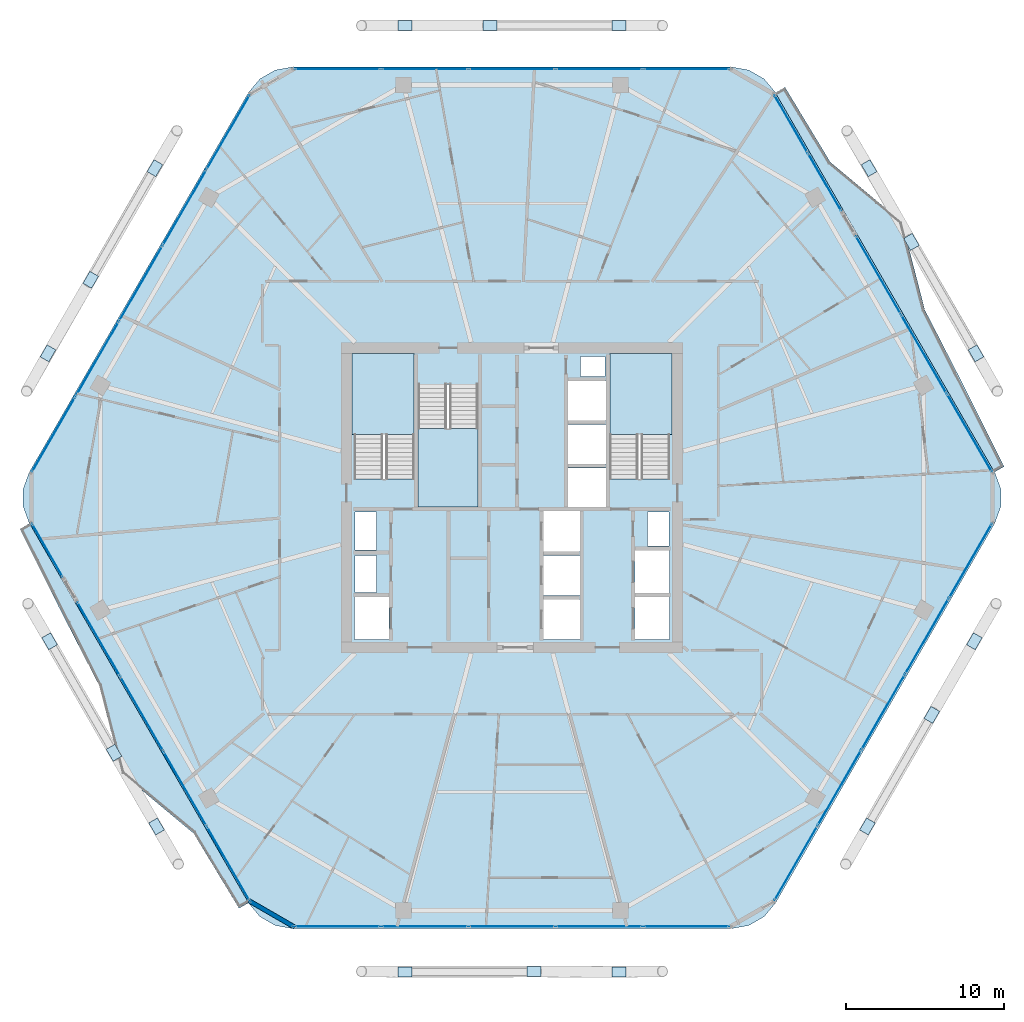
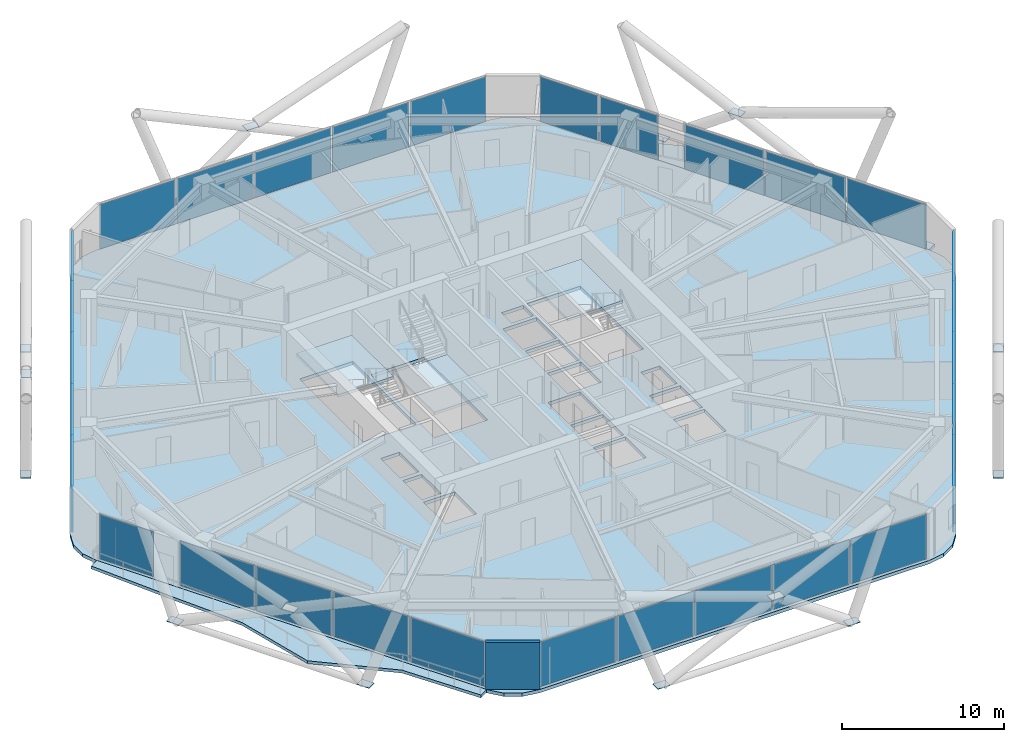
# One storey, part 19 of 28: 48 plates, 6 slabs, 1 wall, 11 elements without a shape of their own.
"""IFC4 building model written with IfcOpenShell, lengths in metres."""

from ifc_helpers import new_model, si_unit, direction, frame, frame_2d, origin, origin_2d, place, context, subcontext, project, spatial, polyline, rectangle, outline, extrude, material, layer, layer_set, type_object, element, aggregate, save


model = new_model("IFC4")

# Units and contexts
model_context = context("Model", 3, precision=1e-05, world=origin(), true_north=direction((0.0, 1.0)))
body_context = subcontext(model_context, "Body", "Model", "MODEL_VIEW")
ifc_project = project(units=[si_unit("LENGTHUNIT", "METRE"), si_unit("AREAUNIT", "SQUARE_METRE"), si_unit("VOLUMEUNIT", "CUBIC_METRE"), si_unit("PLANEANGLEUNIT", "RADIAN"), si_unit("MASSUNIT", "GRAM", prefix="KILO")], contexts=[model_context])

# Site, building, storey
site_placement = place(None, origin())
site = spatial("IfcSite", under=ifc_project, at=site_placement, CompositionType="ELEMENT")
building_placement = place(site_placement, origin())
building = spatial("IfcBuilding", under=site, at=building_placement, Name="Zuhravey Tower", CompositionType="ELEMENT")
storey_placement = place(building_placement, frame((0.0, 0.0, 169.39990234375)))
storey = spatial("IfcBuildingStorey", under=building, at=storey_placement, Name="L42", CompositionType="ELEMENT", Elevation=169.39990234375)

# Plates
ifc_material_1 = material(Name="Steel SM460", Category="steel")
ifc_layer_1 = layer(ifc_material_1, 0.035888671875)
ifc_layer_set_1 = layer_set([ifc_layer_1], Name="Steel SM460")
plate_type_1 = type_object("IfcPlateType", Name="Exoskeleton Zone 2 Node Plate ND2", PredefinedType="SHEET", material=ifc_layer_set_1)
for number, where, z_axis, x_axis, name in (
    (1, (65.42578125, 41.1591796875, -0.48193359375), (0.0, 0.0, 1.0), (-0.5, 0.866025403784, 0.0), "L42 Exoskeleton Node Gusset L42-01"),
    (2, (58.64501953125, 52.904052734375, -0.48193359375), (0.0, 0.0, 1.0), (-0.5, 0.866025403784, 0.0), "L42 Exoskeleton Node Gusset L42-02"),
    (3, (42.781005859375, 61.943115234375, -0.48193359375), (0.0, 0.0, 1.0), (-1.0, 0.0, 0.0), "L42 Exoskeleton Node Gusset L42-03"),
    (4, (29.218994140625, 61.943115234375, -0.48193359375), (0.0, 0.0, 1.0), (-1.0, 0.0, 0.0), "L42 Exoskeleton Node Gusset L42-04"),
    (5, (13.35498046875, 52.904052734375, -0.48193359375), (0.0, 0.0, 1.0), (-0.5, -0.866025403784, 0.0), "L42 Exoskeleton Node Gusset L42-05"),
    (6, (6.57421875, 41.1591796875, -0.48193359375), (0.0, 0.0, 1.0), (-0.5, -0.866025403784, 0.0), "L42 Exoskeleton Node Gusset L42-06"),
    (7, (6.677978515625, 22.90087890625, -0.48193359375), (0.0, 0.0, 1.0), (0.5, -0.866025403784, 0.0), "L42 Exoskeleton Node Gusset L42-07"),
    (8, (13.458984375, 11.156005859375, -0.48193359375), (0.0, 0.0, 1.0), (0.5, -0.866025403784, 0.0), "L42 Exoskeleton Node Gusset L42-08"),
    (9, (29.218994140625, 1.93701171875, -0.48193359375), (0.0, 0.0, 1.0), (1.0, 0.0, 0.0), "L42 Exoskeleton Node Gusset L42-09"),
    (10, (42.781005859375, 1.93701171875, -0.48193359375), (0.0, 0.0, 1.0), (1.0, 0.0, 0.0), "L42 Exoskeleton Node Gusset L42-10"),
    (11, (58.541015625, 11.156005859375, -0.48193359375), (0.0, 0.0, 1.0), (0.5, 0.866025403784, 0.0), "L42 Exoskeleton Node Gusset L42-11"),
    (12, (65.322021484375, 22.90087890625, -0.48193359375), (0.0, 0.0, 1.0), (0.5, 0.866025403784, 0.0), "L42 Exoskeleton Node Gusset L42-12"),
    (13, (61.328857421875, 48.225341796875, 3.318359375), (0.0, 0.0, 1.0), (-0.5, 0.866025403784, 0.0), "L42 Face 1 Diagrid X-Crossing Plate"),
    (14, (34.613037109375, 61.943115234375, 3.318359375), (0.0, 0.0, 1.0), (-1.0, 0.0, 0.0), "L42 Face 2 Diagrid X-Crossing Plate"),
    (15, (9.2841796875, 45.822998046875, 3.318359375), (0.0, 0.0, 1.0), (-0.5, -0.866025403784, 0.0), "L42 Face 3 Diagrid X-Crossing Plate"),
    (16, (10.761962890625, 15.8271484375, 3.318359375), (0.0, 0.0, 1.0), (0.5, -0.866025403784, 0.0), "L42 Face 4 Diagrid X-Crossing Plate"),
    (17, (37.386962890625, 1.951904296875, 3.318359375), (0.0, 0.0, 1.0), (1.0, 0.0, 0.0), "L42 Face 5 Diagrid X-Crossing Plate"),
    (18, (62.625, 18.2294921875, 3.318359375), (0.0, 0.0, 1.0), (0.5, 0.866025403784, 0.0), "L42 Face 6 Diagrid X-Crossing Plate"),
):
    element("IfcPlate", number, at=place(storey_placement, frame(where, z_axis=z_axis, x_axis=x_axis)), inside=storey, type_object=plate_type_1, Name=name, PredefinedType="SHEET", context=body_context, shape_type="SweptSolid", body=[
        extrude(rectangle(XDim=0.8798828125, YDim=0.639892578125, at=origin_2d()), origin(), (0.0, 0.0, 1.0), 0.035888671875),
    ])

# Slabs
ifc_material_2 = material(Name="Concrete C50/60", Category="concrete")
ifc_layer_2 = layer(ifc_material_2, 0.25)
ifc_layer_set_2 = layer_set([ifc_layer_2], Name="Concrete C50/60")
slab_type_1 = type_object("IfcSlabType", Name="Residential Acoustic Slab 250", PredefinedType="FLOOR", material=ifc_layer_set_2)
slab_1_placement = place(storey_placement, frame((0.0, 0.0, -0.25)))
element("IfcSlab", 19, at=slab_1_placement, inside=storey, type_object=slab_type_1, Name="L42 Floor Slab FS25", PredefinedType="FLOOR", context=body_context, shape_type="SweptSolid", body=[
    extrude(outline(polyline([(66.61181640625, 30.375), (66.997802734375, 31.435546875), (66.997802734375, 32.564453125), (66.61181640625, 33.625), (52.713134765625, 57.697998046875), (51.98779296875, 58.562744140625), (51.01025390625, 59.127197265625), (49.898681640625, 59.322998046875), (22.101318359375, 59.322998046875), (20.98974609375, 59.127197265625), (20.01220703125, 58.562744140625), (19.286865234375, 57.697998046875), (5.38818359375, 33.625), (5.002197265625, 32.564453125), (5.002197265625, 31.435546875), (5.38818359375, 30.375), (19.286865234375, 6.302001953125), (20.01220703125, 5.437255859375), (20.98974609375, 4.872802734375), (22.101318359375, 4.677001953125), (49.898681640625, 4.677001953125), (51.01025390625, 4.872802734375), (51.98779296875, 5.437255859375), (52.713134765625, 6.302001953125), (66.61181640625, 30.375)]), holes=[polyline([(29.800048828125, 33.20068359375), (29.800048828125, 41.0), (26.0, 41.0), (26.0, 33.20068359375), (29.800048828125, 33.20068359375)]), polyline([(46.0, 33.20068359375), (46.0, 41.0), (42.199951171875, 41.0), (42.199951171875, 33.20068359375), (46.0, 33.20068359375)]), polyline([(30.050048828125, 39.199462890625), (30.050048828125, 31.39990234375), (33.85009765625, 31.39990234375), (33.85009765625, 39.199462890625), (30.050048828125, 39.199462890625)]), polyline([(38.0, 23.0), (40.300048828125, 23.0), (40.300048828125, 25.550048828125), (38.0, 25.550048828125), (38.0, 23.0)]), polyline([(38.0, 25.800048828125), (40.300048828125, 25.800048828125), (40.300048828125, 28.35009765625), (38.0, 28.35009765625), (38.0, 25.800048828125)]), polyline([(38.0, 28.60009765625), (40.300048828125, 28.60009765625), (40.300048828125, 31.14990234375), (38.0, 31.14990234375), (38.0, 28.60009765625)]), polyline([(39.550048828125, 31.39990234375), (41.949951171875, 31.39990234375), (41.949951171875, 33.89990234375), (39.550048828125, 33.89990234375), (39.550048828125, 31.39990234375)]), polyline([(39.550048828125, 34.14990234375), (41.949951171875, 34.14990234375), (41.949951171875, 36.64990234375), (39.550048828125, 36.64990234375), (39.550048828125, 34.14990234375)]), polyline([(39.550048828125, 36.89990234375), (41.949951171875, 36.89990234375), (41.949951171875, 39.39990234375), (39.550048828125, 39.39990234375), (39.550048828125, 36.89990234375)]), polyline([(26.0, 23.0), (28.199951171875, 23.0), (28.199951171875, 25.699951171875), (26.0, 25.699951171875), (26.0, 23.0)]), polyline([(43.800048828125, 23.0), (46.0, 23.0), (46.0, 25.699951171875), (43.800048828125, 25.699951171875), (43.800048828125, 23.0)]), polyline([(43.800048828125, 25.949951171875), (46.0, 25.949951171875), (46.0, 28.64990234375), (43.800048828125, 28.64990234375), (43.800048828125, 25.949951171875)]), polyline([(26.050048828125, 26.0), (27.39990234375, 26.0), (27.39990234375, 28.35009765625), (26.050048828125, 28.35009765625), (26.050048828125, 26.0)]), polyline([(26.050048828125, 28.699951171875), (27.39990234375, 28.699951171875), (27.39990234375, 31.10009765625), (26.050048828125, 31.10009765625), (26.050048828125, 28.699951171875)]), polyline([(44.60009765625, 28.949951171875), (45.949951171875, 28.949951171875), (45.949951171875, 31.10009765625), (44.60009765625, 31.10009765625), (44.60009765625, 28.949951171875)]), polyline([(40.35009765625, 39.699951171875), (41.89990234375, 39.699951171875), (41.89990234375, 40.949951171875), (40.35009765625, 40.949951171875), (40.35009765625, 39.699951171875)])]), origin(), (0.0, 0.0, 1.0), 0.25),
])
ifc_material_3 = material(Name="Concrete C40/50", Category="concrete")
ifc_layer_3 = layer(ifc_material_3, 0.219970703125)
ifc_layer_set_3 = layer_set([ifc_layer_3], Name="Concrete C40/50")
slab_type_2 = type_object("IfcSlabType", Name="Sinusoidal Residential Wave Balcony 220", PredefinedType="FLOOR", material=ifc_layer_set_3)
slab_2_placement = place(storey_placement, frame((0.0, 0.0, -0.219970703125)))
element("IfcSlab", 20, at=slab_2_placement, inside=storey, type_object=slab_type_2, Name="L42 Face 1 Wave Balcony WB22", PredefinedType="FLOOR", context=body_context, shape_type="SweptSolid", body=[
    extrude(outline(polyline([(66.594482421875, 33.625), (52.70458984375, 57.68310546875), (53.310791015625, 58.033203125), (56.188720703125, 53.279296875), (60.737060546875, 49.48974609375), (62.178955078125, 43.906494140625), (64.7197265625, 38.9580078125), (67.20068359375, 33.97509765625), (66.594482421875, 33.625)])), origin(), (0.0, 0.0, 1.0), 0.219970703125),
])
slab_3_placement = place(storey_placement, frame((0.0, 0.0, -0.219970703125)))
element("IfcSlab", 21, at=slab_3_placement, inside=storey, type_object=slab_type_2, Name="L42 Face 4 Wave Balcony WB22", PredefinedType="FLOOR", context=body_context, shape_type="SweptSolid", body=[
    extrude(outline(polyline([(5.405517578125, 30.375), (19.29541015625, 6.31689453125), (18.689208984375, 5.966796875), (15.811279296875, 10.720703125), (11.262939453125, 14.51025390625), (9.821044921875, 20.093505859375), (7.2802734375, 25.0419921875), (4.79931640625, 30.02490234375), (5.405517578125, 30.375)])), origin(), (0.0, 0.0, 1.0), 0.219970703125),
])

# Stair, slab
stair_type = type_object("IfcStairType", Name="Housing Storey Stair Assembly 3800", PredefinedType="HALF_TURN_STAIR", material=ifc_material_3)
stair_1_placement = place(storey_placement, origin())
stair_1 = element("IfcStair", 22, at=stair_1_placement, inside=storey, type_object=stair_type, Name="L42 Core Exit Stair ST1", PredefinedType="HALF_TURN_STAIR")
ifc_layer_4 = layer(ifc_material_3, 0.199951171875)
ifc_layer_set_4 = layer_set([ifc_layer_4], Name="Concrete C40/50")
slab_type_3 = type_object("IfcSlabType", Name="Stair Landing Slab 200", PredefinedType="LANDING", material=ifc_layer_set_4)
slab_4_placement = place(storey_placement, frame((0.0, 0.0, 1.7001953125)))
slab_4 = element("IfcSlab", 23, at=slab_4_placement, type_object=slab_type_3, Name="ST1 landing 1", PredefinedType="LANDING", context=body_context, shape_type="SweptSolid", body=[
    extrude(outline(polyline([(29.800048828125, 36.0), (29.800048828125, 41.14794921875), (25.85205078125, 41.14794921875), (25.85205078125, 36.0), (29.800048828125, 36.0)])), origin(), (0.0, 0.0, 1.0), 0.199951171875),
])
aggregate(stair_1, [slab_4])

stair_2_placement = place(storey_placement, origin())
stair_2 = element("IfcStair", 24, at=stair_2_placement, inside=storey, type_object=stair_type, Name="L42 Core Exit Stair ST2", PredefinedType="HALF_TURN_STAIR")
slab_5_placement = place(storey_placement, frame((0.0, 0.0, 1.7001953125)))
slab_5 = element("IfcSlab", 25, at=slab_5_placement, type_object=slab_type_3, Name="ST2 landing 1", PredefinedType="LANDING", context=body_context, shape_type="SweptSolid", body=[
    extrude(outline(polyline([(46.14794921875, 36.0), (46.14794921875, 41.14794921875), (42.199951171875, 41.14794921875), (42.199951171875, 36.0), (46.14794921875, 36.0)])), origin(), (0.0, 0.0, 1.0), 0.199951171875),
])
aggregate(stair_2, [slab_5])

stair_3_placement = place(storey_placement, origin())
stair_3 = element("IfcStair", 26, at=stair_3_placement, inside=storey, type_object=stair_type, Name="L42 Core Exit Stair ST3", PredefinedType="HALF_TURN_STAIR")
slab_6_placement = place(storey_placement, frame((0.0, 0.0, 1.7001953125)))
slab_6 = element("IfcSlab", 27, at=slab_6_placement, type_object=slab_type_3, Name="ST3 landing 1", PredefinedType="LANDING", context=body_context, shape_type="SweptSolid", body=[
    extrude(outline(polyline([(30.050048828125, 36.39990234375), (30.050048828125, 31.39990234375), (33.85009765625, 31.39990234375), (33.85009765625, 36.39990234375), (30.050048828125, 36.39990234375)])), origin(), (0.0, 0.0, 1.0), 0.199951171875),
])
aggregate(stair_3, [slab_6])

# Curtain wall, plates
ifc_material_4 = material(Name="Thermally broken anodised aluminium", Category="aluminium")
curtain_wall_type = type_object("IfcCurtainWallType", Name="Zone 1-2 Residential Curtain Wall CW3", PredefinedType="NOTDEFINED", material=ifc_material_4)
curtain_wall_1_placement = place(storey_placement, origin())
curtain_wall_1 = element("IfcCurtainWall", 28, at=curtain_wall_1_placement, inside=storey, type_object=curtain_wall_type, Name="L42 CW3 CW-L42-F6-1", PredefinedType="NOTDEFINED")
ifc_material_5 = material(Name="Triple low-E insulated vision glass", Category="glass")
ifc_layer_5 = layer(ifc_material_5, 0.0419921875)
ifc_layer_set_5 = layer_set([ifc_layer_5], Name="Triple low-E insulated vision glass")
plate_type_2 = type_object("IfcPlateType", Name="Triple Low-E Vision Panel", PredefinedType="CURTAIN_PANEL", material=ifc_layer_set_5)
plate_1_placement = place(storey_placement, frame((65.074462890625, 27.9921875, 0.090087890625), z_axis=(0.0, 0.0, 1.0), x_axis=(-0.500000459979, -0.866025138215, 0.0)))
plate_1 = element("IfcPlate", 29, at=plate_1_placement, type_object=plate_type_2, Name="CW3 panel 1.1", PredefinedType="CURTAIN_PANEL", context=body_context, shape_type="SweptSolid", body=[
    extrude(rectangle(XDim=5.409423828125, YDim=0.0419921875, at=origin_2d()), origin(), (0.0, 0.0, 1.0), 3.3701171875),
])
plate_2_placement = place(storey_placement, frame((62.3134765625, 23.2099609375, 0.090087890625), z_axis=(0.0, 0.0, 1.0), x_axis=(-0.500000459979, -0.866025138215, 0.0)))
plate_2 = element("IfcPlate", 30, at=plate_2_placement, type_object=plate_type_2, Name="CW3 panel 2.1", PredefinedType="CURTAIN_PANEL", context=body_context, shape_type="SweptSolid", body=[
    extrude(rectangle(XDim=5.454345703125, YDim=0.0419921875, at=origin_2d()), origin(), (0.0, 0.0, 1.0), 3.3701171875),
])
plate_3_placement = place(storey_placement, frame((59.541259765625, 18.408447265625, 0.090087890625), z_axis=(0.0, 0.0, 1.0), x_axis=(-0.500000459979, -0.866025138215, 0.0)))
plate_3 = element("IfcPlate", 31, at=plate_3_placement, type_object=plate_type_2, Name="CW3 panel 3.1", PredefinedType="CURTAIN_PANEL", context=body_context, shape_type="SweptSolid", body=[
    extrude(rectangle(XDim=5.454345703125, YDim=0.0419921875, at=origin_2d()), origin(), (0.0, 0.0, 1.0), 3.3701171875),
])
plate_4_placement = place(storey_placement, frame((56.76904296875, 13.60693359375, 0.090087890625), z_axis=(0.0, 0.0, 1.0), x_axis=(-0.500000459979, -0.866025138215, 0.0)))
plate_4 = element("IfcPlate", 32, at=plate_4_placement, type_object=plate_type_2, Name="CW3 panel 4.1", PredefinedType="CURTAIN_PANEL", context=body_context, shape_type="SweptSolid", body=[
    extrude(rectangle(XDim=5.454345703125, YDim=0.0419921875, at=origin_2d()), origin(), (0.0, 0.0, 1.0), 3.3701171875),
])
plate_5_placement = place(storey_placement, frame((54.008056640625, 8.82470703125, 0.090087890625), z_axis=(0.0, 0.0, 1.0), x_axis=(-0.500000459979, -0.866025138215, 0.0)))
plate_5 = element("IfcPlate", 33, at=plate_5_placement, type_object=plate_type_2, Name="CW3 panel 5.1", PredefinedType="CURTAIN_PANEL", context=body_context, shape_type="SweptSolid", body=[
    extrude(rectangle(XDim=5.409423828125, YDim=0.0419921875, at=origin_2d()), origin(), (0.0, 0.0, 1.0), 3.3701171875),
])
aggregate(curtain_wall_1, [plate_1, plate_2, plate_3, plate_4, plate_5])

curtain_wall_2_placement = place(storey_placement, origin())
curtain_wall_2 = element("IfcCurtainWall", 34, at=curtain_wall_2_placement, inside=storey, type_object=curtain_wall_type, Name="L42 CW3 CW-L42-F5-1", PredefinedType="NOTDEFINED")
plate_6_placement = place(storey_placement, frame((47.06640625, 4.81689453125, 0.090087890625), z_axis=(0.0, 0.0, 1.0), x_axis=(-1.0, 0.0, 0.0)))
plate_6 = element("IfcPlate", 35, at=plate_6_placement, type_object=plate_type_2, Name="CW3 panel 1.1", PredefinedType="CURTAIN_PANEL", context=body_context, shape_type="SweptSolid", body=[
    extrude(rectangle(XDim=5.409423828125, YDim=0.0419921875, at=origin_2d()), origin(), (0.0, 0.0, 1.0), 3.3701171875),
])
plate_7_placement = place(storey_placement, frame((41.54443359375, 4.81689453125, 0.090087890625), z_axis=(0.0, 0.0, 1.0), x_axis=(-1.0, 0.0, 0.0)))
plate_7 = element("IfcPlate", 36, at=plate_7_placement, type_object=plate_type_2, Name="CW3 panel 2.1", PredefinedType="CURTAIN_PANEL", context=body_context, shape_type="SweptSolid", body=[
    extrude(rectangle(XDim=5.454345703125, YDim=0.0419921875, at=origin_2d()), origin(), (0.0, 0.0, 1.0), 3.3701171875),
])
plate_8_placement = place(storey_placement, frame((36.0, 4.81689453125, 0.090087890625), z_axis=(0.0, 0.0, 1.0), x_axis=(-1.0, 0.0, 0.0)))
plate_8 = element("IfcPlate", 37, at=plate_8_placement, type_object=plate_type_2, Name="CW3 panel 3.1", PredefinedType="CURTAIN_PANEL", context=body_context, shape_type="SweptSolid", body=[
    extrude(rectangle(XDim=5.454345703125, YDim=0.0419921875, at=origin_2d()), origin(), (0.0, 0.0, 1.0), 3.3701171875),
])
plate_9_placement = place(storey_placement, frame((30.45556640625, 4.81689453125, 0.090087890625), z_axis=(0.0, 0.0, 1.0), x_axis=(-1.0, 0.0, 0.0)))
plate_9 = element("IfcPlate", 38, at=plate_9_placement, type_object=plate_type_2, Name="CW3 panel 4.1", PredefinedType="CURTAIN_PANEL", context=body_context, shape_type="SweptSolid", body=[
    extrude(rectangle(XDim=5.454345703125, YDim=0.0419921875, at=origin_2d()), origin(), (0.0, 0.0, 1.0), 3.3701171875),
])
plate_10_placement = place(storey_placement, frame((24.93359375, 4.81689453125, 0.090087890625), z_axis=(0.0, 0.0, 1.0), x_axis=(-1.0, 0.0, 0.0)))
plate_10 = element("IfcPlate", 39, at=plate_10_placement, type_object=plate_type_2, Name="CW3 panel 5.1", PredefinedType="CURTAIN_PANEL", context=body_context, shape_type="SweptSolid", body=[
    extrude(rectangle(XDim=5.409423828125, YDim=0.0419921875, at=origin_2d()), origin(), (0.0, 0.0, 1.0), 3.3701171875),
])
aggregate(curtain_wall_2, [plate_6, plate_7, plate_8, plate_9, plate_10])

curtain_wall_3_placement = place(storey_placement, origin())
curtain_wall_3 = element("IfcCurtainWall", 40, at=curtain_wall_3_placement, inside=storey, type_object=curtain_wall_type, Name="L42 CW3 CW-L42-F4-1", PredefinedType="NOTDEFINED")
plate_11_placement = place(storey_placement, frame((18.00390625, 8.803955078125, 0.090087890625), z_axis=(0.0, 0.0, 1.0), x_axis=(-0.500000293699, 0.866025234217, 0.0)))
plate_11 = element("IfcPlate", 41, at=plate_11_placement, type_object=plate_type_2, Name="CW3 panel 1.1", PredefinedType="CURTAIN_PANEL", context=body_context, shape_type="SweptSolid", body=[
    extrude(rectangle(XDim=5.361328125, YDim=0.0419921875, at=origin_2d()), origin(), (0.0, 0.0, 1.0), 3.3701171875),
])
plate_12_placement = place(storey_placement, frame((15.26708984375, 13.54443359375, 0.090087890625), z_axis=(0.0, 0.0, 1.0), x_axis=(-0.500000293699, 0.866025234217, 0.0)))
plate_12 = element("IfcPlate", 42, at=plate_12_placement, type_object=plate_type_2, Name="CW3 panel 2.1", PredefinedType="CURTAIN_PANEL", context=body_context, shape_type="SweptSolid", body=[
    extrude(rectangle(XDim=5.40625, YDim=0.0419921875, at=origin_2d()), origin(), (0.0, 0.0, 1.0), 3.3701171875),
])
plate_13_placement = place(storey_placement, frame((12.518798828125, 18.304443359375, 0.090087890625), z_axis=(0.0, 0.0, 1.0), x_axis=(-0.500000293699, 0.866025234217, 0.0)))
plate_13 = element("IfcPlate", 43, at=plate_13_placement, type_object=plate_type_2, Name="CW3 panel 3.1", PredefinedType="CURTAIN_PANEL", context=body_context, shape_type="SweptSolid", body=[
    extrude(rectangle(XDim=5.40625, YDim=0.0419921875, at=origin_2d()), origin(), (0.0, 0.0, 1.0), 3.3701171875),
])
plate_14_placement = place(storey_placement, frame((9.781982421875, 23.044921875, 0.090087890625), z_axis=(0.0, 0.0, 1.0), x_axis=(-0.500000293699, 0.866025234217, 0.0)))
plate_14 = element("IfcPlate", 44, at=plate_14_placement, type_object=plate_type_2, Name="CW3 panel 4.1", PredefinedType="CURTAIN_PANEL", context=body_context, shape_type="SweptSolid", body=[
    extrude(rectangle(XDim=5.361328125, YDim=0.0419921875, at=origin_2d()), origin(), (0.0, 0.0, 1.0), 3.3701171875),
])
aggregate(curtain_wall_3, [plate_11, plate_12, plate_13, plate_14])

# Curtain wall, plate
curtain_wall_4_placement = place(storey_placement, origin())
curtain_wall_4 = element("IfcCurtainWall", 45, at=curtain_wall_4_placement, inside=storey, type_object=curtain_wall_type, Name="L42 CW3 CW-L42-F4-2", PredefinedType="NOTDEFINED")
plate_15_placement = place(storey_placement, frame((6.537353515625, 28.66455078125, 0.090087890625), z_axis=(0.0, 0.0, 1.0), x_axis=(-0.500007653549, 0.866020984961, 0.0)))
plate_15 = element("IfcPlate", 46, at=plate_15_placement, type_object=plate_type_2, Name="CW3 panel 1.1", PredefinedType="CURTAIN_PANEL", context=body_context, shape_type="SweptSolid", body=[
    extrude(rectangle(XDim=3.856689453125, YDim=0.0419921875, at=origin_2d()), origin(), (0.0, 0.0, 1.0), 3.3701171875),
])
aggregate(curtain_wall_4, [plate_15])

# Curtain wall, plates
curtain_wall_5_placement = place(storey_placement, origin())
curtain_wall_5 = element("IfcCurtainWall", 47, at=curtain_wall_5_placement, inside=storey, type_object=curtain_wall_type, Name="L42 CW3 CW-L42-F3-1", PredefinedType="NOTDEFINED")
plate_16_placement = place(storey_placement, frame((6.925537109375, 36.0078125, 0.090087890625), z_axis=(0.0, 0.0, 1.0), x_axis=(0.500000459979, 0.866025138215, 0.0)))
plate_16 = element("IfcPlate", 48, at=plate_16_placement, type_object=plate_type_2, Name="CW3 panel 1.1", PredefinedType="CURTAIN_PANEL", context=body_context, shape_type="SweptSolid", body=[
    extrude(rectangle(XDim=5.409423828125, YDim=0.0419921875, at=origin_2d()), origin(), (0.0, 0.0, 1.0), 3.3701171875),
])
plate_17_placement = place(storey_placement, frame((9.6865234375, 40.7900390625, 0.090087890625), z_axis=(0.0, 0.0, 1.0), x_axis=(0.500000459979, 0.866025138215, 0.0)))
plate_17 = element("IfcPlate", 49, at=plate_17_placement, type_object=plate_type_2, Name="CW3 panel 2.1", PredefinedType="CURTAIN_PANEL", context=body_context, shape_type="SweptSolid", body=[
    extrude(rectangle(XDim=5.454345703125, YDim=0.0419921875, at=origin_2d()), origin(), (0.0, 0.0, 1.0), 3.3701171875),
])
plate_18_placement = place(storey_placement, frame((12.458740234375, 45.591552734375, 0.090087890625), z_axis=(0.0, 0.0, 1.0), x_axis=(0.500000459979, 0.866025138215, 0.0)))
plate_18 = element("IfcPlate", 50, at=plate_18_placement, type_object=plate_type_2, Name="CW3 panel 3.1", PredefinedType="CURTAIN_PANEL", context=body_context, shape_type="SweptSolid", body=[
    extrude(rectangle(XDim=5.454345703125, YDim=0.0419921875, at=origin_2d()), origin(), (0.0, 0.0, 1.0), 3.3701171875),
])
plate_19_placement = place(storey_placement, frame((15.23095703125, 50.39306640625, 0.090087890625), z_axis=(0.0, 0.0, 1.0), x_axis=(0.500000459979, 0.866025138215, 0.0)))
plate_19 = element("IfcPlate", 51, at=plate_19_placement, type_object=plate_type_2, Name="CW3 panel 4.1", PredefinedType="CURTAIN_PANEL", context=body_context, shape_type="SweptSolid", body=[
    extrude(rectangle(XDim=5.454345703125, YDim=0.0419921875, at=origin_2d()), origin(), (0.0, 0.0, 1.0), 3.3701171875),
])
plate_20_placement = place(storey_placement, frame((17.991943359375, 55.17529296875, 0.090087890625), z_axis=(0.0, 0.0, 1.0), x_axis=(0.500000459979, 0.866025138215, 0.0)))
plate_20 = element("IfcPlate", 52, at=plate_20_placement, type_object=plate_type_2, Name="CW3 panel 5.1", PredefinedType="CURTAIN_PANEL", context=body_context, shape_type="SweptSolid", body=[
    extrude(rectangle(XDim=5.409423828125, YDim=0.0419921875, at=origin_2d()), origin(), (0.0, 0.0, 1.0), 3.3701171875),
])
aggregate(curtain_wall_5, [plate_16, plate_17, plate_18, plate_19, plate_20])

curtain_wall_6_placement = place(storey_placement, origin())
curtain_wall_6 = element("IfcCurtainWall", 53, at=curtain_wall_6_placement, inside=storey, type_object=curtain_wall_type, Name="L42 CW3 CW-L42-F2-1", PredefinedType="NOTDEFINED")
plate_21_placement = place(storey_placement, frame((24.93359375, 59.18310546875, 0.090087890625), z_axis=(0.0, 0.0, 1.0), x_axis=(1.0, 0.0, 0.0)))
plate_21 = element("IfcPlate", 54, at=plate_21_placement, type_object=plate_type_2, Name="CW3 panel 1.1", PredefinedType="CURTAIN_PANEL", context=body_context, shape_type="SweptSolid", body=[
    extrude(rectangle(XDim=5.409423828125, YDim=0.0419921875, at=origin_2d()), origin(), (0.0, 0.0, 1.0), 3.3701171875),
])
plate_22_placement = place(storey_placement, frame((30.45556640625, 59.18310546875, 0.090087890625), z_axis=(0.0, 0.0, 1.0), x_axis=(1.0, 0.0, 0.0)))
plate_22 = element("IfcPlate", 55, at=plate_22_placement, type_object=plate_type_2, Name="CW3 panel 2.1", PredefinedType="CURTAIN_PANEL", context=body_context, shape_type="SweptSolid", body=[
    extrude(rectangle(XDim=5.454345703125, YDim=0.0419921875, at=origin_2d()), origin(), (0.0, 0.0, 1.0), 3.3701171875),
])
plate_23_placement = place(storey_placement, frame((36.0, 59.18310546875, 0.090087890625), z_axis=(0.0, 0.0, 1.0), x_axis=(1.0, 0.0, 0.0)))
plate_23 = element("IfcPlate", 56, at=plate_23_placement, type_object=plate_type_2, Name="CW3 panel 3.1", PredefinedType="CURTAIN_PANEL", context=body_context, shape_type="SweptSolid", body=[
    extrude(rectangle(XDim=5.454345703125, YDim=0.0419921875, at=origin_2d()), origin(), (0.0, 0.0, 1.0), 3.3701171875),
])
plate_24_placement = place(storey_placement, frame((41.54443359375, 59.18310546875, 0.090087890625), z_axis=(0.0, 0.0, 1.0), x_axis=(1.0, 0.0, 0.0)))
plate_24 = element("IfcPlate", 57, at=plate_24_placement, type_object=plate_type_2, Name="CW3 panel 4.1", PredefinedType="CURTAIN_PANEL", context=body_context, shape_type="SweptSolid", body=[
    extrude(rectangle(XDim=5.454345703125, YDim=0.0419921875, at=origin_2d()), origin(), (0.0, 0.0, 1.0), 3.3701171875),
])
plate_25_placement = place(storey_placement, frame((47.06640625, 59.18310546875, 0.090087890625), z_axis=(0.0, 0.0, 1.0), x_axis=(1.0, 0.0, 0.0)))
plate_25 = element("IfcPlate", 58, at=plate_25_placement, type_object=plate_type_2, Name="CW3 panel 5.1", PredefinedType="CURTAIN_PANEL", context=body_context, shape_type="SweptSolid", body=[
    extrude(rectangle(XDim=5.409423828125, YDim=0.0419921875, at=origin_2d()), origin(), (0.0, 0.0, 1.0), 3.3701171875),
])
aggregate(curtain_wall_6, [plate_21, plate_22, plate_23, plate_24, plate_25])

curtain_wall_7_placement = place(storey_placement, origin())
curtain_wall_7 = element("IfcCurtainWall", 59, at=curtain_wall_7_placement, inside=storey, type_object=curtain_wall_type, Name="L42 CW3 CW-L42-F1-1", PredefinedType="NOTDEFINED")
plate_26_placement = place(storey_placement, frame((53.69921875, 55.710205078125, 0.090087890625), z_axis=(0.0, 0.0, 1.0), x_axis=(0.500006357897, -0.86602173302, 0.0)))
plate_26 = element("IfcPlate", 60, at=plate_26_placement, type_object=plate_type_2, Name="CW3 panel 1.1", PredefinedType="CURTAIN_PANEL", context=body_context, shape_type="SweptSolid", body=[
    extrude(rectangle(XDim=4.17431640625, YDim=0.0419921875, at=origin_2d()), origin(), (0.0, 0.0, 1.0), 3.3701171875),
])
plate_27_placement = place(storey_placement, frame((55.83154296875, 52.017333984375, 0.090087890625), z_axis=(0.0, 0.0, 1.0), x_axis=(0.500006357897, -0.86602173302, 0.0)))
plate_27 = element("IfcPlate", 61, at=plate_27_placement, type_object=plate_type_2, Name="CW3 panel 2.1", PredefinedType="CURTAIN_PANEL", context=body_context, shape_type="SweptSolid", body=[
    extrude(rectangle(XDim=4.17431640625, YDim=0.0419921875, at=origin_2d()), origin(), (0.0, 0.0, 1.0), 3.3701171875),
])
aggregate(curtain_wall_7, [plate_26, plate_27])

curtain_wall_8_placement = place(storey_placement, origin())
curtain_wall_8 = element("IfcCurtainWall", 62, at=curtain_wall_8_placement, inside=storey, type_object=curtain_wall_type, Name="L42 CW3 CW-L42-F1-2", PredefinedType="NOTDEFINED")
plate_28_placement = place(storey_placement, frame((59.2314453125, 46.1279296875, 0.090087890625), z_axis=(0.0, 0.0, 1.0), x_axis=(0.499998997739, -0.866025982439, 0.0)))
plate_28 = element("IfcPlate", 63, at=plate_28_placement, type_object=plate_type_2, Name="CW3 panel 1.1", PredefinedType="CURTAIN_PANEL", context=body_context, shape_type="SweptSolid", body=[
    extrude(rectangle(XDim=5.666259765625, YDim=0.0419921875, at=origin_2d()), origin(), (0.0, 0.0, 1.0), 3.3701171875),
])
plate_29_placement = place(storey_placement, frame((62.120849609375, 41.12353515625, 0.090087890625), z_axis=(0.0, 0.0, 1.0), x_axis=(0.499998997739, -0.866025982439, 0.0)))
plate_29 = element("IfcPlate", 64, at=plate_29_placement, type_object=plate_type_2, Name="CW3 panel 2.1", PredefinedType="CURTAIN_PANEL", context=body_context, shape_type="SweptSolid", body=[
    extrude(rectangle(XDim=5.711181640625, YDim=0.0419921875, at=origin_2d()), origin(), (0.0, 0.0, 1.0), 3.3701171875),
])
plate_30_placement = place(storey_placement, frame((65.01025390625, 36.118896484375, 0.090087890625), z_axis=(0.0, 0.0, 1.0), x_axis=(0.499998997739, -0.866025982439, 0.0)))
plate_30 = element("IfcPlate", 65, at=plate_30_placement, type_object=plate_type_2, Name="CW3 panel 3.1", PredefinedType="CURTAIN_PANEL", context=body_context, shape_type="SweptSolid", body=[
    extrude(rectangle(XDim=5.666259765625, YDim=0.0419921875, at=origin_2d()), origin(), (0.0, 0.0, 1.0), 3.3701171875),
])
aggregate(curtain_wall_8, [plate_28, plate_29, plate_30])

# Wall
ifc_material_6 = material(Name="Precast concrete C40/50", Category="concrete")
ifc_layer_6 = layer(ifc_material_6, 0.280029296875)
ifc_layer_set_6 = layer_set([ifc_layer_6], Name="Precast concrete C40/50")
wall_type = type_object("IfcWallType", Name="Crown Architectural Wall 280", PredefinedType="SOLIDWALL", material=ifc_layer_set_6)
wall_placement = place(storey_placement, frame((22.22119140625, 4.769287109375, 0.0), z_axis=(0.0, 0.0, 1.0), x_axis=(-0.866020068361, 0.500009241111, 0.0)))
element("IfcWall", 66, at=wall_placement, inside=storey, type_object=wall_type, Name="L42 Rounded Corner Closure Wall EW28-04", PredefinedType="SOLIDWALL", context=body_context, shape_type="SweptSolid", body=[
    extrude(rectangle(XDim=3.365234375, YDim=0.280029296875, at=frame_2d((1.6826171875, 0.0))), origin(), (0.0, 0.0, 1.0), 3.550048828125),
])

save(model, "model.ifc")
